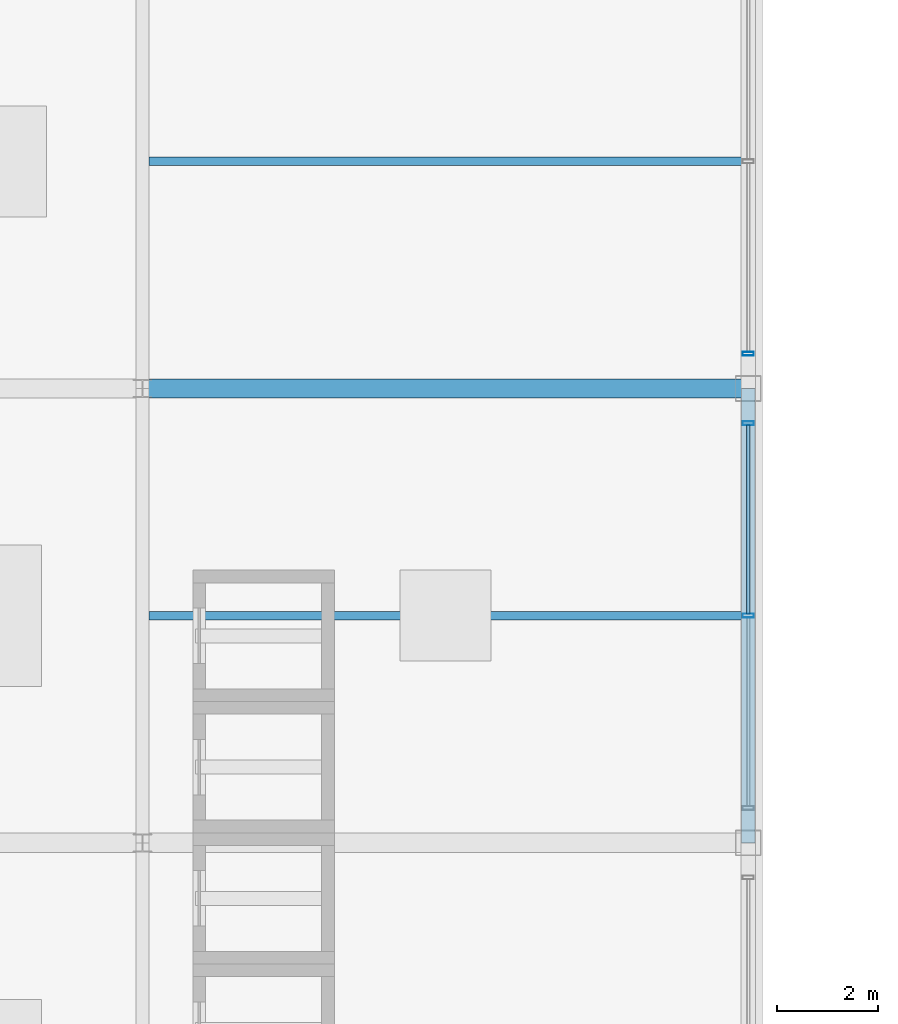
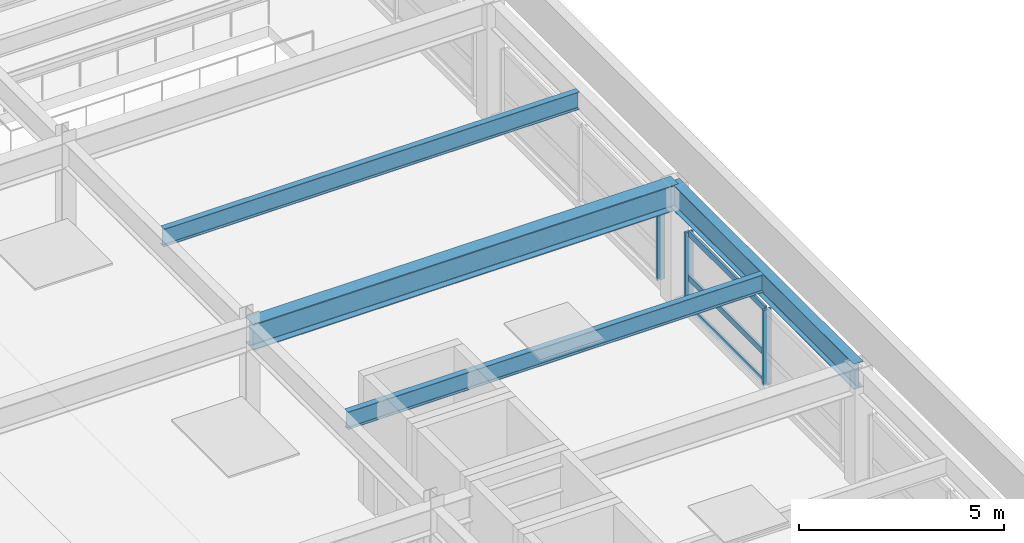
# One storey, part 63 of 108: 6 members, 4 beams, 2 elements without a shape of their own.
"""IFC4 building model written with IfcOpenShell, lengths in metres."""

from ifc_helpers import new_model, si_unit, direction, frame, origin, origin_2d, place, context, subcontext, project, spatial, hollow_rectangle, i_section, extrude, material, material_profile, profile_set, type_object, element, aggregate, save


model = new_model("IFC4")

# Units and contexts
model_context = context("Model", 3, precision=1e-05, world=origin(), true_north=direction((0.0, 1.0)))
body_context = subcontext(model_context, "Body", "Model", "MODEL_VIEW")
ifc_project = project(units=[si_unit("LENGTHUNIT", "METRE"), si_unit("AREAUNIT", "SQUARE_METRE"), si_unit("VOLUMEUNIT", "CUBIC_METRE"), si_unit("PLANEANGLEUNIT", "RADIAN"), si_unit("MASSUNIT", "GRAM", prefix="KILO")], contexts=[model_context])

# Site, building, storey
site_placement = place(None, origin())
site = spatial("IfcSite", under=ifc_project, at=site_placement, CompositionType="ELEMENT")
building_placement = place(site_placement, origin())
building = spatial("IfcBuilding", under=site, at=building_placement, Name="Kaldorvane Square Convention Centre", CompositionType="ELEMENT")
storey_placement = place(building_placement, frame((0.0, 0.0, 23.399993896484375)))
storey = spatial("IfcBuildingStorey", under=building, at=storey_placement, Name="L04", CompositionType="ELEMENT", Elevation=23.399993896484375)

# Beams
ifc_material_1 = material(Name="Steel ASTM A992 Gr. 50", Category="steel")
ifc_material_profile_1 = material_profile(ifc_material_1, i_section(OverallWidth=0.2666015625, OverallDepth=0.762298583984375, WebThickness=0.014404296875, FlangeThickness=0.0216064453125, FilletRadius=0.0164947509765625, at=origin_2d()), Name="W30X116")
ifc_profile_set_1 = profile_set([ifc_material_profile_1], Name="Steel ASTM A992 Gr. 50")
beam_type_1 = type_object("IfcBeamType", Name="BM-GR-W30X116", PredefinedType="BEAM", material=ifc_profile_set_1)
beam_1_placement = place(storey_placement, frame((138.0, 45.0, 3.144805908203125), z_axis=(0.0, 1.0, 0.0), x_axis=(-1.0, 0.0, 0.0)))
element("IfcBeam", 1, at=beam_1_placement, inside=storey, type_object=beam_type_1, Name="Transverse Girder (L04)", PredefinedType="BEAM", context=body_context, shape_type="SweptSolid", body=[
    extrude(i_section(OverallWidth=0.2666015625, OverallDepth=0.762298583984375, WebThickness=0.014404296875, FlangeThickness=0.0216064453125, FilletRadius=0.0164947509765625, at=origin_2d()), origin(), (0.0, 0.0, 1.0), 9.0),
])
ifc_material_profile_2 = material_profile(ifc_material_1, i_section(OverallWidth=0.380706787109375, OverallDepth=0.773193359375, WebThickness=0.0166015625, FlangeThickness=0.027099609375, FilletRadius=0.0164947509765625, at=origin_2d()), Name="W30X173")
ifc_profile_set_2 = profile_set([ifc_material_profile_2], Name="Steel ASTM A992 Gr. 50")
beam_type_2 = type_object("IfcBeamType", Name="BM-GR-W30X173", PredefinedType="BEAM", material=ifc_profile_set_2)
beam_2_placement = place(storey_placement, frame((126.0, 54.0, 3.139404296875), z_axis=(1.0, 0.0, 0.0), x_axis=(0.0, 1.0, 0.0)))
element("IfcBeam", 2, at=beam_2_placement, inside=storey, type_object=beam_type_2, Name="Primary Girder (L04)", PredefinedType="BEAM", context=body_context, shape_type="SweptSolid", body=[
    extrude(i_section(OverallWidth=0.380706787109375, OverallDepth=0.773193359375, WebThickness=0.0166015625, FlangeThickness=0.027099609375, FilletRadius=0.0164947509765625, at=origin_2d()), origin(), (0.0, 0.0, 1.0), 12.0),
])
ifc_material_profile_3 = material_profile(ifc_material_1, i_section(OverallWidth=0.1658935546875, OverallDepth=0.5290985107421875, WebThickness=0.00970458984375, FlangeThickness=0.0135955810546875, FilletRadius=0.0126953125, at=origin_2d()), Name="W21X50")
ifc_profile_set_3 = profile_set([ifc_material_profile_3], Name="Steel ASTM A992 Gr. 50")
beam_type_3 = type_object("IfcBeamType", Name="BM-JS-W21X50", PredefinedType="JOIST", material=ifc_profile_set_3)
for number, where, z_axis, x_axis, name in (
    (3, (126.13330078125, 49.5, 3.26141357421875), (1.0, 0.0, 0.0), (0.0, 1.0, 0.0), "Secondary Floor Joist (L04)"),
    (4, (126.13330078125, 58.5, 3.26141357421875), (1.0, 0.0, 0.0), (0.0, 1.0, 0.0), "Secondary Floor Joist (L04)"),
):
    element("IfcBeam", number, at=place(storey_placement, frame(where, z_axis=z_axis, x_axis=x_axis)), inside=storey, type_object=beam_type_3, Name=name, PredefinedType="JOIST", context=body_context, shape_type="SweptSolid", body=[
        extrude(i_section(OverallWidth=0.1658935546875, OverallDepth=0.5290985107421875, WebThickness=0.00970458984375, FlangeThickness=0.0135955810546875, FilletRadius=0.0126953125, at=origin_2d()), origin(), (0.0, 0.0, 1.0), 11.7333984375),
    ])

# Curtain wall, members
ifc_material_2 = material(Name="Anodized Aluminum and Low-E Insulated Glazing", Category="aluminium")
curtain_wall_type = type_object("IfcCurtainWallType", Name="CW-PTS-FC-42", PredefinedType="USERDEFINED", material=ifc_material_2)
curtain_wall_1_placement = place(storey_placement, origin())
curtain_wall_1 = element("IfcCurtainWall", 5, at=curtain_wall_1_placement, inside=storey, type_object=curtain_wall_type, Name="Curtain Wall CW-09 (L04)", ObjectType="POINT SUPPORTED GLAZING", PredefinedType="USERDEFINED")
ifc_material_profile_4 = material_profile(ifc_material_2, hollow_rectangle(XDim=0.0749969482421875, YDim=0.220001220703125, WallThickness=0.003997802734375, at=origin_2d()), Name="CWM-220X75")
ifc_profile_set_4 = profile_set([ifc_material_profile_4], Name="Anodized Aluminum and Low-E Insulated Glazing")
member_type_1 = type_object("IfcMemberType", Name="CW-MUL-220", PredefinedType="MULLION", material=ifc_profile_set_4)
member_1_placement = place(storey_placement, frame((138.0, 49.5, 0.1500091552734375), z_axis=(0.0, 0.0, 1.0), x_axis=(0.0, 1.0, 0.0)))
member_1 = element("IfcMember", 6, at=member_1_placement, type_object=member_type_1, Name="CW-09 mullion 2", PredefinedType="MULLION", context=body_context, shape_type="SweptSolid", body=[
    extrude(hollow_rectangle(XDim=0.0749969482421875, YDim=0.220001220703125, WallThickness=0.003997802734375, at=origin_2d()), origin(), (0.0, 0.0, 1.0), 2.2599945068359375),
])
member_2_placement = place(storey_placement, frame((138.0, 53.3125, 0.1500091552734375), z_axis=(0.0, 0.0, 1.0), x_axis=(0.0, 1.0, 0.0)))
member_2 = element("IfcMember", 7, at=member_2_placement, type_object=member_type_1, Name="CW-09 mullion 3", PredefinedType="MULLION", context=body_context, shape_type="SweptSolid", body=[
    extrude(hollow_rectangle(XDim=0.0749969482421875, YDim=0.220001220703125, WallThickness=0.003997802734375, at=origin_2d()), origin(), (0.0, 0.0, 1.0), 2.2599945068359375),
])

# Curtain wall, member
curtain_wall_2_placement = place(storey_placement, origin())
curtain_wall_2 = element("IfcCurtainWall", 8, at=curtain_wall_2_placement, inside=storey, type_object=curtain_wall_type, Name="Curtain Wall CW-09 (L04)", ObjectType="POINT SUPPORTED GLAZING", PredefinedType="USERDEFINED")
member_3_placement = place(storey_placement, frame((138.0, 54.6875, 0.1500091552734375), z_axis=(0.0, 0.0, 1.0), x_axis=(0.0, 1.0, 0.0)))
member_3 = element("IfcMember", 9, at=member_3_placement, type_object=member_type_1, Name="CW-09 mullion 1", PredefinedType="MULLION", context=body_context, shape_type="SweptSolid", body=[
    extrude(hollow_rectangle(XDim=0.0749969482421875, YDim=0.220001220703125, WallThickness=0.003997802734375, at=origin_2d()), origin(), (0.0, 0.0, 1.0), 2.2599945068359375),
])
aggregate(curtain_wall_2, [member_3])

# Member
ifc_material_profile_5 = material_profile(ifc_material_2, hollow_rectangle(XDim=0.06500244140625, YDim=0.17999267578125, WallThickness=0.0034942626953125, at=origin_2d()), Name="CWT-180X65")
ifc_profile_set_5 = profile_set([ifc_material_profile_5], Name="Anodized Aluminum and Low-E Insulated Glazing")
member_type_2 = type_object("IfcMemberType", Name="CW-TRN-180", PredefinedType="USERDEFINED", material=ifc_profile_set_5)
member_4_placement = place(storey_placement, frame((138.0, 49.537506103515625, 0.1825103759765625), z_axis=(0.0, 1.0, 0.0), x_axis=(-1.0, 0.0, 0.0)))
member_4 = element("IfcMember", 10, at=member_4_placement, type_object=member_type_2, Name="CW-09 transom 2.1", ObjectType="TRANSOM", PredefinedType="USERDEFINED", context=body_context, shape_type="SweptSolid", body=[
    extrude(hollow_rectangle(XDim=0.06500244140625, YDim=0.17999267578125, WallThickness=0.0034942626953125, at=origin_2d()), origin(), (0.0, 0.0, 1.0), 3.73748779296875),
])

member_5_placement = place(storey_placement, frame((138.0, 49.537506103515625, 1.0500030517578125), z_axis=(0.0, 1.0, 0.0), x_axis=(-1.0, 0.0, 0.0)))
member_5 = element("IfcMember", 11, at=member_5_placement, type_object=member_type_2, Name="CW-09 transom 2.2", ObjectType="TRANSOM", PredefinedType="USERDEFINED", context=body_context, shape_type="SweptSolid", body=[
    extrude(hollow_rectangle(XDim=0.06500244140625, YDim=0.17999267578125, WallThickness=0.0034942626953125, at=origin_2d()), origin(), (0.0, 0.0, 1.0), 3.73748779296875),
])

member_6_placement = place(storey_placement, frame((138.0, 49.537506103515625, 2.37750244140625), z_axis=(0.0, 1.0, 0.0), x_axis=(-1.0, 0.0, 0.0)))
member_6 = element("IfcMember", 12, at=member_6_placement, type_object=member_type_2, Name="CW-09 transom 2.3", ObjectType="TRANSOM", PredefinedType="USERDEFINED", context=body_context, shape_type="SweptSolid", body=[
    extrude(hollow_rectangle(XDim=0.06500244140625, YDim=0.17999267578125, WallThickness=0.0034942626953125, at=origin_2d()), origin(), (0.0, 0.0, 1.0), 3.73748779296875),
])

aggregate(curtain_wall_1, [member_1, member_2, member_4, member_5, member_6])

save(model, "model.ifc")
